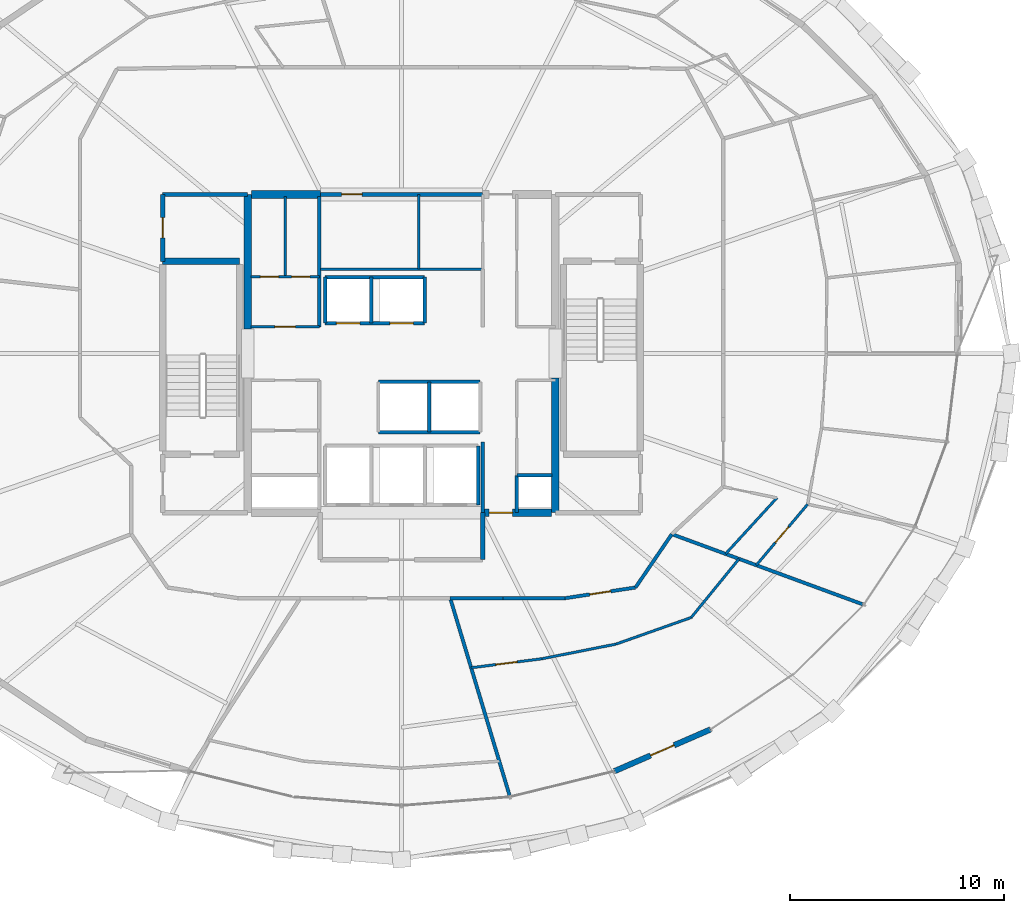
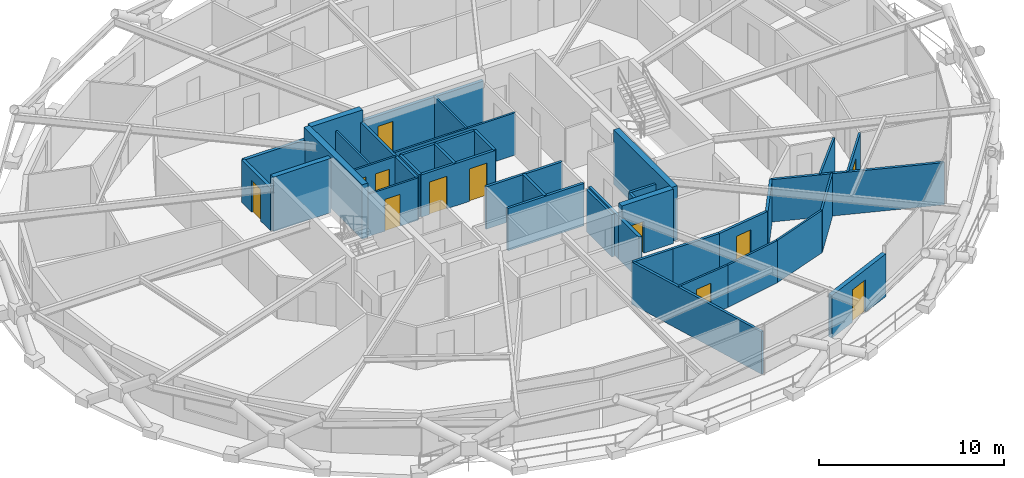
# One storey, part 14 of 20: 40 walls, 12 doors, 12 openings.
"""IFC4 building model written with IfcOpenShell, lengths in metres."""

from ifc_helpers import new_model, si_unit, direction, frame, frame_2d, origin, place, context, subcontext, project, spatial, rectangle, extrude, material, layer, layer_set, type_object, element, fill, save


model = new_model("IFC4")

# Units and contexts
model_context = context("Model", 3, precision=1e-05, world=origin(), true_north=direction((0.0, 1.0)))
body_context = subcontext(model_context, "Body", "Model", "MODEL_VIEW")
ifc_project = project(units=[si_unit("LENGTHUNIT", "METRE"), si_unit("AREAUNIT", "SQUARE_METRE"), si_unit("VOLUMEUNIT", "CUBIC_METRE"), si_unit("PLANEANGLEUNIT", "RADIAN"), si_unit("MASSUNIT", "GRAM", prefix="KILO")], contexts=[model_context])

# Site, building, storey
site_placement = place(None, origin())
site = spatial("IfcSite", under=ifc_project, at=site_placement, CompositionType="ELEMENT")
building_placement = place(site_placement, origin())
building = spatial("IfcBuilding", under=site, at=building_placement, Name="Veldorina Hangang Commons", CompositionType="ELEMENT")
storey_placement = place(building_placement, frame((0.0, 0.0, 131.60009765625)))
storey = spatial("IfcBuildingStorey", under=building, at=storey_placement, Name="L33", CompositionType="ELEMENT", Elevation=131.60009765625)

# Walls
ifc_material_1 = material(Name="Concrete C60/75", Category="concrete")
ifc_layer_1 = layer(ifc_material_1, 0.360107421875)
ifc_layer_set_1 = layer_set([ifc_layer_1], Name="Concrete C60/75")
wall_type_1 = type_object("IfcWallType", Name="CW-RC360-C60", PredefinedType="SHEAR", material=ifc_layer_set_1)
for number, where, z_axis, x_axis, name in (
    (1, (24.800048828125, 25.14990234375, 0.0), (0.0, 0.0, 1.0), (0.0, 1.0, 0.0), "L33 W north core shear wall"),
    (2, (39.199951171875, 16.550048828125, 0.0), (0.0, 0.0, 1.0), (0.0, 1.0, 0.0), "L33 E south core shear wall"),
):
    element("IfcWall", number, at=place(storey_placement, frame(where, z_axis=z_axis, x_axis=x_axis)), inside=storey, type_object=wall_type_1, Name=name, PredefinedType="SHEAR", context=body_context, shape_type="SweptSolid", body=[
        extrude(rectangle(XDim=6.300048828125, YDim=0.360107421875, at=frame_2d((3.14990234375, 0.0))), origin(), (0.0, 0.0, 1.0), 3.599853515625),
    ])

# Wall, opening, door
wall_1_placement = place(storey_placement, frame((35.800048828125, 16.550048828125, 0.0), z_axis=(0.0, 0.0, 1.0), x_axis=(1.0, 0.0, 0.0)))
wall_1 = element("IfcWall", 3, at=wall_1_placement, inside=storey, type_object=wall_type_1, Name="L33 south-east core shear wall", PredefinedType="SHEAR", context=body_context, shape_type="SweptSolid", body=[
    extrude(rectangle(XDim=3.219970703125, YDim=0.360107421875, at=frame_2d((1.60986328125, 0.0))), origin(), (0.0, 0.0, 1.0), 3.599853515625),
])
opening_1_placement = place(wall_1_placement, frame((0.300048828125, 0.0, 0.0)))
opening_1 = element("IfcOpeningElement", 4, at=opening_1_placement, cuts=wall_1, Name="Opening D-08", PredefinedType="OPENING", context=body_context, shape_type="SweptSolid", body=[
    extrude(rectangle(XDim=1.10009765625, YDim=2.10009765625, at=frame_2d((0.550048828125, 1.050048828125))), frame((0.0, 0.18994140625, 0.0), z_axis=(0.0, -1.0, 0.0), x_axis=(1.0, 0.0, 0.0)), (0.0, 0.0, 1.0), 0.380126953125),
])
ifc_material_2 = material(Name="Steel Fire-Rated Smoke Seal", Category="steel")
door_type_1 = type_object("IfcDoorType", Name="DR-FIRE-1100", OperationType="SINGLE_SWING_RIGHT", PredefinedType="DOOR", material=ifc_material_2)
door_1_placement = place(opening_1_placement, origin())
door_1 = element("IfcDoor", 5, at=door_1_placement, inside=storey, type_object=door_type_1, Name="L33 central lift lobby south corridor door", OperationType="SINGLE_SWING_RIGHT", OverallHeight=2.10009765625, OverallWidth=1.10009765625, PredefinedType="DOOR", context=body_context, shape_type="SweptSolid", body=[
    extrude(rectangle(XDim=1.10009765625, YDim=2.10009765625, at=frame_2d((0.550048828125, 1.050048828125))), frame((0.0, 0.02490234375, 0.0), z_axis=(0.0, -1.0, 0.0), x_axis=(1.0, 0.0, 0.0)), (0.0, 0.0, 1.0), 0.050048828125),
])
fill(opening_1, door_1)

# Wall
wall_2_placement = place(storey_placement, frame((24.97998046875, 31.449951171875, 0.0), z_axis=(0.0, 0.0, 1.0), x_axis=(1.0, 0.0, 0.0)))
element("IfcWall", 6, at=wall_2_placement, inside=storey, type_object=wall_type_1, Name="L33 north-west core shear wall", PredefinedType="SHEAR", context=body_context, shape_type="SweptSolid", body=[
    extrude(rectangle(XDim=3.219970703125, YDim=0.360107421875, at=frame_2d((1.60986328125, 0.0))), origin(), (0.0, 0.0, 1.0), 3.599853515625),
])

# Wall, opening, door
ifc_material_3 = material(Name="Stone Roman Travertine", Category="masonry")
ifc_layer_2 = layer(ifc_material_3, 0.260009765625)
ifc_layer_set_2 = layer_set([ifc_layer_2], Name="Stone Roman Travertine")
wall_type_2 = type_object("IfcWallType", Name="EW-LOGGIA-260", PredefinedType="STANDARD", material=ifc_layer_set_2)
wall_3_placement = place(storey_placement, frame((41.958740234375, 4.4501953125, 0.0), z_axis=(0.0, 0.0, 1.0), x_axis=(0.917135712646, 0.398575067697, 0.0)))
wall_3 = element("IfcWall", 7, at=wall_3_placement, inside=storey, type_object=wall_type_2, Name="L33 sky-garden loggia portal wall 26", PredefinedType="STANDARD", context=body_context, shape_type="SweptSolid", body=[
    extrude(rectangle(XDim=4.90576171875, YDim=0.260009765625, at=frame_2d((2.452880859375, 0.0))), origin(), (0.0, 0.0, 1.0), 2.81982421875),
])
opening_2_placement = place(wall_3_placement, frame((1.852783203125, 0.0, 0.0)))
opening_2 = element("IfcOpeningElement", 8, at=opening_2_placement, cuts=wall_3, Name="Opening BD-1200", PredefinedType="OPENING", context=body_context, shape_type="SweptSolid", body=[
    extrude(rectangle(XDim=1.199951171875, YDim=2.14990234375, at=frame_2d((0.60009765625, 1.074951171875))), frame((0.0, 0.14013671875, 0.0), z_axis=(0.0, -1.0, 0.0), x_axis=(1.0, 0.0, 0.0)), (0.0, 0.0, 1.0), 0.280029296875),
])
ifc_material_4 = material(Name="Glass Thermal Aluminium Frame", Category="aluminium")
door_type_2 = type_object("IfcDoorType", Name="DR-EXT-LOG1200", OperationType="SINGLE_SWING_LEFT", PredefinedType="DOOR", material=ifc_material_4)
door_2_placement = place(opening_2_placement, origin())
door_2 = element("IfcDoor", 9, at=door_2_placement, inside=storey, type_object=door_type_2, Name="L33 loggia glazed exterior door 26", OperationType="SINGLE_SWING_LEFT", OverallHeight=2.14990234375, OverallWidth=1.199951171875, PredefinedType="DOOR", context=body_context, shape_type="SweptSolid", body=[
    extrude(rectangle(XDim=1.199951171875, YDim=2.14990234375, at=frame_2d((0.60009765625, 1.074951171875))), frame((0.0, 0.02490234375, 0.0), z_axis=(0.0, -1.0, 0.0), x_axis=(1.0, 0.0, 0.0)), (0.0, 0.0, 1.0), 0.050048828125),
])
fill(opening_2, door_2)

# Walls
ifc_material_5 = material(Name="Concrete C50/60", Category="concrete")
ifc_layer_3 = layer(ifc_material_5, 0.300048828125)
ifc_layer_set_3 = layer_set([ifc_layer_3], Name="Concrete C50/60")
wall_type_3 = type_object("IfcWallType", Name="SW-STAIR-300", PredefinedType="SHEAR", material=ifc_layer_set_3)
wall_4_placement = place(storey_placement, frame((20.820068359375, 28.320068359375, 0.0), z_axis=(0.0, 0.0, 1.0), x_axis=(1.0, 0.0, 0.0)))
element("IfcWall", 10, at=wall_4_placement, inside=storey, type_object=wall_type_3, Name="L33 ST1 north stair shear wall", PredefinedType="SHEAR", context=body_context, shape_type="SweptSolid", body=[
    extrude(rectangle(XDim=3.599853515625, YDim=0.300048828125, at=frame_2d((1.7998046875, 0.0))), origin(), (0.0, 0.0, 1.0), 3.599853515625),
])
ifc_material_6 = material(Name="Gypsum Fire-Rated Twin Stud Wall", Category="gypsum")
ifc_layer_4 = layer(ifc_material_6, 0.159912109375)
ifc_layer_set_4 = layer_set([ifc_layer_4], Name="Gypsum Fire-Rated Twin Stud Wall")
wall_type_4 = type_object("IfcWallType", Name="WL-FIRE-160", PredefinedType="SOLIDWALL", material=ifc_layer_set_4)
wall_5_placement = place(storey_placement, frame((35.800048828125, 16.550048828125, 0.0), z_axis=(0.0, 0.0, 1.0), x_axis=(0.0, 1.0, 0.0)))
element("IfcWall", 11, at=wall_5_placement, inside=storey, type_object=wall_type_4, Name="L33 Lift passage SW wall 009", PredefinedType="SOLIDWALL", context=body_context, shape_type="SweptSolid", body=[
    extrude(rectangle(XDim=3.300048828125, YDim=0.159912109375, at=frame_2d((1.64990234375, 0.0))), origin(), (0.0, 0.0, 1.0), 2.7998046875),
])
wall_6_placement = place(storey_placement, frame((37.39990234375, 16.550048828125, 0.0), z_axis=(0.0, 0.0, 1.0), x_axis=(0.0, 1.0, 0.0)))
element("IfcWall", 12, at=wall_6_placement, inside=storey, type_object=wall_type_4, Name="L33 Lift passage SE stub 010", PredefinedType="SOLIDWALL", context=body_context, shape_type="SweptSolid", body=[
    extrude(rectangle(XDim=1.75, YDim=0.159912109375, at=frame_2d((0.875, 0.0))), origin(), (0.0, 0.0, 1.0), 2.7998046875),
])

# Wall, openings, doors
wall_7_placement = place(storey_placement, frame((28.419921875, 25.419921875, 0.0), z_axis=(0.0, 0.0, 1.0), x_axis=(1.0, 0.0, 0.0)))
wall_7 = element("IfcWall", 13, at=wall_7_placement, inside=storey, type_object=wall_type_4, Name="L33 Mid-high front shaft wall 015", PredefinedType="SOLIDWALL", context=body_context, shape_type="SweptSolid", body=[
    extrude(rectangle(XDim=4.66015625, YDim=0.159912109375, at=frame_2d((2.330078125, 0.0))), origin(), (0.0, 0.0, 1.0), 2.7998046875),
])
opening_3_placement = place(wall_7_placement, frame((0.530029296875, 0.0, 0.0)))
opening_3 = element("IfcOpeningElement", 14, at=opening_3_placement, cuts=wall_7, Name="Opening LD-01", PredefinedType="OPENING", context=body_context, shape_type="SweptSolid", body=[
    extrude(rectangle(XDim=1.10009765625, YDim=2.14990234375, at=frame_2d((0.550048828125, 1.074951171875))), frame((0.0, 0.08984375, 0.0), z_axis=(0.0, -1.0, 0.0), x_axis=(1.0, 0.0, 0.0)), (0.0, 0.0, 1.0), 0.179931640625),
])
opening_4_placement = place(wall_7_placement, frame((3.030029296875, 0.0, 0.0)))
opening_4 = element("IfcOpeningElement", 15, at=opening_4_placement, cuts=wall_7, Name="Opening LD-01", PredefinedType="OPENING", context=body_context, shape_type="SweptSolid", body=[
    extrude(rectangle(XDim=1.10009765625, YDim=2.14990234375, at=frame_2d((0.550048828125, 1.074951171875))), frame((0.0, 0.08984375, 0.0), z_axis=(0.0, -1.0, 0.0), x_axis=(1.0, 0.0, 0.0)), (0.0, 0.0, 1.0), 0.179931640625),
])
ifc_material_7 = material(Name="Stainless Steel Brushed Lift Door", Category="steel")
door_type_3 = type_object("IfcDoorType", Name="DR-LIFT-1100", OperationType="SLIDING_TO_LEFT", PredefinedType="DOOR", material=ifc_material_7)
door_3_placement = place(opening_3_placement, origin())
door_3 = element("IfcDoor", 16, at=door_3_placement, inside=storey, type_object=door_type_3, Name="L33 Lift PL-M1 landing door 006", OperationType="SLIDING_TO_RIGHT", OverallHeight=2.14990234375, OverallWidth=1.10009765625, PredefinedType="DOOR", context=body_context, shape_type="SweptSolid", body=[
    extrude(rectangle(XDim=1.10009765625, YDim=2.14990234375, at=frame_2d((0.550048828125, 1.074951171875))), frame((0.0, 0.02490234375, 0.0), z_axis=(0.0, -1.0, 0.0), x_axis=(1.0, 0.0, 0.0)), (0.0, 0.0, 1.0), 0.050048828125),
])
fill(opening_3, door_3)
door_4_placement = place(opening_4_placement, origin())
door_4 = element("IfcDoor", 17, at=door_4_placement, inside=storey, type_object=door_type_3, Name="L33 Lift PL-M2 landing door 007", OperationType="SLIDING_TO_RIGHT", OverallHeight=2.14990234375, OverallWidth=1.10009765625, PredefinedType="DOOR", context=body_context, shape_type="SweptSolid", body=[
    extrude(rectangle(XDim=1.10009765625, YDim=2.14990234375, at=frame_2d((0.550048828125, 1.074951171875))), frame((0.0, 0.02490234375, 0.0), z_axis=(0.0, -1.0, 0.0), x_axis=(1.0, 0.0, 0.0)), (0.0, 0.0, 1.0), 0.050048828125),
])
fill(opening_4, door_4)

# Walls
wall_8_placement = place(storey_placement, frame((28.419921875, 27.580078125, 0.0), z_axis=(0.0, 0.0, 1.0), x_axis=(1.0, 0.0, 0.0)))
element("IfcWall", 18, at=wall_8_placement, inside=storey, type_object=wall_type_4, Name="L33 Mid-high rear shaft wall 016", PredefinedType="SOLIDWALL", context=body_context, shape_type="SweptSolid", body=[
    extrude(rectangle(XDim=4.66015625, YDim=0.159912109375, at=frame_2d((2.330078125, 0.0))), origin(), (0.0, 0.0, 1.0), 2.7998046875),
])
for number, where, z_axis, x_axis, name in (
    (19, (28.419921875, 25.419921875, 0.0), (0.0, 0.0, 1.0), (0.0, 1.0, 0.0), "L33 PL-M1 west shaft wall 017"),
    (20, (30.580078125, 25.419921875, 0.0), (0.0, 0.0, 1.0), (0.0, 1.0, 0.0), "L33 PL-M1 east shaft wall 018"),
    (21, (33.080078125, 25.419921875, 0.0), (0.0, 0.0, 1.0), (0.0, 1.0, 0.0), "L33 PL-M2 east shaft wall 019"),
):
    element("IfcWall", number, at=place(storey_placement, frame(where, z_axis=z_axis, x_axis=x_axis)), inside=storey, type_object=wall_type_4, Name=name, PredefinedType="SOLIDWALL", context=body_context, shape_type="SweptSolid", body=[
        extrude(rectangle(XDim=2.16015625, YDim=0.159912109375, at=frame_2d((1.080078125, 0.0))), origin(), (0.0, 0.0, 1.0), 2.7998046875),
    ])
for number, where, z_axis, x_axis, name in (
    (22, (30.919921875, 22.679931640625, 0.0), (0.0, 0.0, 1.0), (1.0, 0.0, 0.0), "L33 Shuttle-high front shaft wall 020"),
    (23, (30.919921875, 20.320068359375, 0.0), (0.0, 0.0, 1.0), (1.0, 0.0, 0.0), "L33 Shuttle-high rear shaft wall 021"),
):
    element("IfcWall", number, at=place(storey_placement, frame(where, z_axis=z_axis, x_axis=x_axis)), inside=storey, type_object=wall_type_4, Name=name, PredefinedType="SOLIDWALL", context=body_context, shape_type="SweptSolid", body=[
        extrude(rectangle(XDim=4.760009765625, YDim=0.159912109375, at=frame_2d((2.3798828125, 0.0))), origin(), (0.0, 0.0, 1.0), 2.7998046875),
    ])
wall_9_placement = place(storey_placement, frame((33.300048828125, 20.320068359375, 0.0), z_axis=(0.0, 0.0, 1.0), x_axis=(0.0, 1.0, 0.0)))
element("IfcWall", 24, at=wall_9_placement, inside=storey, type_object=wall_type_4, Name="L33 SL-1 east shaft wall 023", PredefinedType="SOLIDWALL", context=body_context, shape_type="SweptSolid", body=[
    extrude(rectangle(XDim=2.35986328125, YDim=0.159912109375, at=frame_2d((1.179931640625, 0.0))), origin(), (0.0, 0.0, 1.0), 2.7998046875),
])
wall_10_placement = place(storey_placement, frame((35.580078125, 16.919921875, 0.0), z_axis=(0.0, 0.0, 1.0), x_axis=(0.0, 1.0, 0.0)))
element("IfcWall", 25, at=wall_10_placement, inside=storey, type_object=wall_type_4, Name="L33 EVL-1 east shaft wall 030", PredefinedType="SOLIDWALL", context=body_context, shape_type="SweptSolid", body=[
    extrude(rectangle(XDim=2.760009765625, YDim=0.159912109375, at=frame_2d((1.3798828125, 0.0))), origin(), (0.0, 0.0, 1.0), 2.7998046875),
])
wall_11_placement = place(storey_placement, frame((37.39990234375, 18.300048828125, 0.0), z_axis=(0.0, 0.0, 1.0), x_axis=(1.0, 0.0, 0.0)))
element("IfcWall", 26, at=wall_11_placement, inside=storey, type_object=wall_type_4, Name="L33 Plumbing riser wall 037", PredefinedType="SOLIDWALL", context=body_context, shape_type="SweptSolid", body=[
    extrude(rectangle(XDim=1.650146484375, YDim=0.159912109375, at=frame_2d((0.8251953125, 0.0))), origin(), (0.0, 0.0, 1.0), 2.7998046875),
])
wall_12_placement = place(storey_placement, frame((28.14990234375, 25.25, 0.0), z_axis=(0.0, 0.0, 1.0), x_axis=(0.0, 1.0, 0.0)))
element("IfcWall", 27, at=wall_12_placement, inside=storey, type_object=wall_type_4, Name="L33 NW core inner wall 038", PredefinedType="SOLIDWALL", context=body_context, shape_type="SweptSolid", body=[
    extrude(rectangle(XDim=6.10009765625, YDim=0.159912109375, at=frame_2d((3.050048828125, 0.0))), origin(), (0.0, 0.0, 1.0), 2.7998046875),
])
wall_13_placement = place(storey_placement, frame((34.277587890625, 12.550048828125, 0.0), z_axis=(0.0, 0.0, 1.0), x_axis=(1.0, 0.0, 0.0)))
element("IfcWall", 28, at=wall_13_placement, inside=storey, type_object=wall_type_4, Name="L33 U-corridor outer wall 25 073", PredefinedType="SOLIDWALL", context=body_context, shape_type="SweptSolid", body=[
    extrude(rectangle(XDim=2.465087890625, YDim=0.159912109375, at=frame_2d((1.232421875, 0.0))), origin(), (0.0, 0.0, 1.0), 2.7998046875),
])
wall_14_placement = place(storey_placement, frame((36.74267578125, 12.550048828125, 0.0), z_axis=(0.0, 0.0, 1.0), x_axis=(1.0, 0.0, 0.0)))
element("IfcWall", 29, at=wall_14_placement, inside=storey, type_object=wall_type_4, Name="L33 U-corridor outer wall 26 074", PredefinedType="SOLIDWALL", context=body_context, shape_type="SweptSolid", body=[
    extrude(rectangle(XDim=2.907958984375, YDim=0.159912109375, at=frame_2d((1.4541015625, 0.0))), origin(), (0.0, 0.0, 1.0), 2.7998046875),
])

# Wall, opening, door
wall_15_placement = place(storey_placement, frame((39.650634765625, 12.550048828125, 0.0), z_axis=(0.0, 0.0, 1.0), x_axis=(0.988710906508, 0.149835721217, 0.0)))
wall_15 = element("IfcWall", 30, at=wall_15_placement, inside=storey, type_object=wall_type_4, Name="L33 U-corridor outer wall 27 075", PredefinedType="SOLIDWALL", context=body_context, shape_type="SweptSolid", body=[
    extrude(rectangle(XDim=3.3369140625, YDim=0.159912109375, at=frame_2d((1.66845703125, 0.0))), origin(), (0.0, 0.0, 1.0), 2.7998046875),
])
opening_5_placement = place(wall_15_placement, frame((1.16845703125, 0.0, 0.0)))
opening_5 = element("IfcOpeningElement", 31, at=opening_5_placement, cuts=wall_15, Name="Opening D-05", PredefinedType="OPENING", context=body_context, shape_type="SweptSolid", body=[
    extrude(rectangle(XDim=1.0, YDim=2.10009765625, at=frame_2d((0.5, 1.050048828125))), frame((0.0, 0.08984375, 0.0), z_axis=(0.0, -1.0, 0.0), x_axis=(1.0, 0.0, 0.0)), (0.0, 0.0, 1.0), 0.179931640625),
])
ifc_material_8 = material(Name="Timber Solid Core Acoustic", Category="wood")
door_type_4 = type_object("IfcDoorType", Name="DR-INT-1000", OperationType="SINGLE_SWING_RIGHT", PredefinedType="DOOR", material=ifc_material_8)
door_5_placement = place(opening_5_placement, origin())
door_5 = element("IfcDoor", 32, at=door_5_placement, inside=storey, type_object=door_type_4, Name="L33 Commons alcove door 020", OperationType="SINGLE_SWING_RIGHT", OverallHeight=2.10009765625, OverallWidth=1.0, PredefinedType="DOOR", context=body_context, shape_type="SweptSolid", body=[
    extrude(rectangle(XDim=1.0, YDim=2.10009765625, at=frame_2d((0.5, 1.050048828125))), frame((0.0, 0.02490234375, 0.0), z_axis=(0.0, -1.0, 0.0), x_axis=(1.0, 0.0, 0.0)), (0.0, 0.0, 1.0), 0.050048828125),
])
fill(opening_5, door_5)

# Walls
wall_16_placement = place(storey_placement, frame((42.949951171875, 13.050048828125, 0.0), z_axis=(0.0, 0.0, 1.0), x_axis=(0.562674669208, 0.826678423955, 0.0)))
element("IfcWall", 33, at=wall_16_placement, inside=storey, type_object=wall_type_4, Name="L33 U-corridor outer wall 28 076", PredefinedType="SOLIDWALL", context=body_context, shape_type="SweptSolid", body=[
    extrude(rectangle(XDim=3.021240234375, YDim=0.159912109375, at=frame_2d((1.5107421875, 0.0))), origin(), (0.0, 0.0, 1.0), 2.7998046875),
])
wall_17_placement = place(storey_placement, frame((34.277587890625, 12.550048828125, 0.0), z_axis=(0.0, 0.0, 1.0), x_axis=(0.288114793877, -0.957595877993, 0.0)))
element("IfcWall", 34, at=wall_17_placement, inside=storey, type_object=wall_type_4, Name="L33 Unit party wall 25 080", PredefinedType="SOLIDWALL", context=body_context, shape_type="SweptSolid", body=[
    extrude(rectangle(XDim=9.666015625, YDim=0.159912109375, at=frame_2d((4.8330078125, 0.0))), origin(), (0.0, 0.0, 1.0), 2.7998046875),
])
wall_18_placement = place(storey_placement, frame((44.64990234375, 15.547607421875, 0.0), z_axis=(0.0, 0.0, 1.0), x_axis=(0.938597960156, -0.345012853661, 0.0)))
element("IfcWall", 35, at=wall_18_placement, inside=storey, type_object=wall_type_4, Name="L33 Unit party wall 29 085", PredefinedType="SOLIDWALL", context=body_context, shape_type="SweptSolid", body=[
    extrude(rectangle(XDim=9.526123046875, YDim=0.159912109375, at=frame_2d((4.76318359375, 0.0))), origin(), (0.0, 0.0, 1.0), 2.7998046875),
])

# Wall, opening, door
ifc_material_9 = material(Name="Concrete Blockwork Fire Wall C30/37", Category="masonry")
ifc_layer_5 = layer(ifc_material_9, 0.199951171875)
ifc_layer_set_5 = layer_set([ifc_layer_5], Name="Concrete Blockwork Fire Wall C30/37")
wall_type_5 = type_object("IfcWallType", Name="WL-FIRE-200", PredefinedType="SOLIDWALL", material=ifc_layer_set_5)
wall_19_placement = place(storey_placement, frame((20.820068359375, 28.320068359375, 0.0), z_axis=(0.0, 0.0, 1.0), x_axis=(0.0, 1.0, 0.0)))
wall_19 = element("IfcWall", 36, at=wall_19_placement, inside=storey, type_object=wall_type_5, Name="L33 NW core room outer wall 005", PredefinedType="SOLIDWALL", context=body_context, shape_type="SweptSolid", body=[
    extrude(rectangle(XDim=3.1298828125, YDim=0.199951171875, at=frame_2d((1.56494140625, 0.0))), origin(), (0.0, 0.0, 1.0), 2.7998046875),
])
opening_6_placement = place(wall_19_placement, frame((1.090087890625, 0.0, 0.0)))
opening_6 = element("IfcOpeningElement", 37, at=opening_6_placement, cuts=wall_19, Name="Opening D-04", PredefinedType="OPENING", context=body_context, shape_type="SweptSolid", body=[
    extrude(rectangle(XDim=0.949951171875, YDim=2.10009765625, at=frame_2d((0.47509765625, 1.050048828125))), frame((0.0, 0.10986328125, 0.0), z_axis=(0.0, -1.0, 0.0), x_axis=(1.0, 0.0, 0.0)), (0.0, 0.0, 1.0), 0.219970703125),
])
ifc_material_10 = material(Name="Timber Accessible Flush Leaf", Category="wood")
door_type_5 = type_object("IfcDoorType", Name="DR-ACC-950", OperationType="SINGLE_SWING_LEFT", PredefinedType="DOOR", material=ifc_material_10)
door_6_placement = place(opening_6_placement, origin())
door_6 = element("IfcDoor", 38, at=door_6_placement, inside=storey, type_object=door_type_5, Name="L33 NW core WC door 003", OperationType="SINGLE_SWING_LEFT", OverallHeight=2.10009765625, OverallWidth=0.949951171875, PredefinedType="DOOR", context=body_context, shape_type="SweptSolid", body=[
    extrude(rectangle(XDim=0.949951171875, YDim=2.10009765625, at=frame_2d((0.47509765625, 1.050048828125))), frame((0.0, 0.02490234375, 0.0), z_axis=(0.0, -1.0, 0.0), x_axis=(1.0, 0.0, 0.0)), (0.0, 0.0, 1.0), 0.050048828125),
])
fill(opening_6, door_6)

# Walls
wall_20_placement = place(storey_placement, frame((20.820068359375, 31.449951171875, 0.0), z_axis=(0.0, 0.0, 1.0), x_axis=(1.0, 0.0, 0.0)))
element("IfcWall", 39, at=wall_20_placement, inside=storey, type_object=wall_type_5, Name="L33 NW core room north wall 006", PredefinedType="SOLIDWALL", context=body_context, shape_type="SweptSolid", body=[
    extrude(rectangle(XDim=3.97998046875, YDim=0.199951171875, at=frame_2d((1.989990234375, 0.0))), origin(), (0.0, 0.0, 1.0), 2.7998046875),
])
wall_21_placement = place(storey_placement, frame((35.800048828125, 14.35009765625, 0.0), z_axis=(0.0, 0.0, 1.0), x_axis=(0.0, 1.0, 0.0)))
element("IfcWall", 40, at=wall_21_placement, inside=storey, type_object=wall_type_5, Name="L33 FF lobby east wall 013", PredefinedType="SOLIDWALL", context=body_context, shape_type="SweptSolid", body=[
    extrude(rectangle(XDim=2.199951171875, YDim=0.199951171875, at=frame_2d((1.10009765625, 0.0))), origin(), (0.0, 0.0, 1.0), 2.7998046875),
])

# Wall, opening, door
wall_22_placement = place(storey_placement, frame((28.199951171875, 31.449951171875, 0.0), z_axis=(0.0, 0.0, 1.0), x_axis=(1.0, 0.0, 0.0)))
wall_22 = element("IfcWall", 41, at=wall_22_placement, inside=storey, type_object=wall_type_5, Name="L33 Merged north core wall 031", PredefinedType="SOLIDWALL", context=body_context, shape_type="SweptSolid", body=[
    extrude(rectangle(XDim=7.60009765625, YDim=0.199951171875, at=frame_2d((3.800048828125, 0.0))), origin(), (0.0, 0.0, 1.0), 2.7998046875),
])
opening_7_placement = place(wall_22_placement, frame((1.0, 0.0, 0.0)))
opening_7 = element("IfcOpeningElement", 42, at=opening_7_placement, cuts=wall_22, Name="Opening D-02", PredefinedType="OPENING", context=body_context, shape_type="SweptSolid", body=[
    extrude(rectangle(XDim=0.949951171875, YDim=2.10009765625, at=frame_2d((0.47509765625, 1.050048828125))), frame((0.0, 0.10986328125, 0.0), z_axis=(0.0, -1.0, 0.0), x_axis=(1.0, 0.0, 0.0)), (0.0, 0.0, 1.0), 0.219970703125),
])
door_type_6 = type_object("IfcDoorType", Name="DR-INT-950", OperationType="SINGLE_SWING_LEFT", PredefinedType="DOOR", material=ifc_material_8)
door_7_placement = place(opening_7_placement, origin())
door_7 = element("IfcDoor", 43, at=door_7_placement, inside=storey, type_object=door_type_6, Name="L33 Core study alcove door 011", OperationType="SINGLE_SWING_LEFT", OverallHeight=2.10009765625, OverallWidth=0.949951171875, PredefinedType="DOOR", context=body_context, shape_type="SweptSolid", body=[
    extrude(rectangle(XDim=0.949951171875, YDim=2.10009765625, at=frame_2d((0.47509765625, 1.050048828125))), frame((0.0, 0.02490234375, 0.0), z_axis=(0.0, -1.0, 0.0), x_axis=(1.0, 0.0, 0.0)), (0.0, 0.0, 1.0), 0.050048828125),
])
fill(opening_7, door_7)

# Walls
ifc_material_11 = material(Name="Gypsum Acoustic Stud Partition", Category="gypsum")
ifc_layer_6 = layer(ifc_material_11, 0.1201171875)
ifc_layer_set_6 = layer_set([ifc_layer_6], Name="Gypsum Acoustic Stud Partition")
wall_type_6 = type_object("IfcWallType", Name="WL-PART-120", PredefinedType="PARTITIONING", material=ifc_layer_set_6)
wall_23_placement = place(storey_placement, frame((28.199951171875, 27.949951171875, 0.0), z_axis=(0.0, 0.0, 1.0), x_axis=(1.0, 0.0, 0.0)))
element("IfcWall", 44, at=wall_23_placement, inside=storey, type_object=wall_type_6, Name="L33 Merged north south wall 032", PredefinedType="PARTITIONING", context=body_context, shape_type="SweptSolid", body=[
    extrude(rectangle(XDim=7.60009765625, YDim=0.1201171875, at=frame_2d((3.800048828125, 0.0))), origin(), (0.0, 0.0, 1.0), 2.7998046875),
])
wall_24_placement = place(storey_placement, frame((32.800048828125, 27.949951171875, 0.0), z_axis=(0.0, 0.0, 1.0), x_axis=(0.0, 1.0, 0.0)))
element("IfcWall", 45, at=wall_24_placement, inside=storey, type_object=wall_type_6, Name="L33 Merged north split wall 034", PredefinedType="PARTITIONING", context=body_context, shape_type="SweptSolid", body=[
    extrude(rectangle(XDim=3.5, YDim=0.1201171875, at=frame_2d((1.75, 0.0))), origin(), (0.0, 0.0, 1.0), 2.7998046875),
])

# Wall, opening, door
wall_25_placement = place(storey_placement, frame((24.949951171875, 25.25, 0.0), z_axis=(0.0, 0.0, 1.0), x_axis=(1.0, 0.0, 0.0)))
wall_25 = element("IfcWall", 46, at=wall_25_placement, inside=storey, type_object=wall_type_6, Name="L33 NW service south wall 039", PredefinedType="PARTITIONING", context=body_context, shape_type="SweptSolid", body=[
    extrude(rectangle(XDim=3.199951171875, YDim=0.1201171875, at=frame_2d((1.60009765625, 0.0))), origin(), (0.0, 0.0, 1.0), 2.7998046875),
])
opening_8_placement = place(wall_25_placement, frame((1.125, 0.0, 0.0)))
opening_8 = element("IfcOpeningElement", 47, at=opening_8_placement, cuts=wall_25, Name="Opening D-02", PredefinedType="OPENING", context=body_context, shape_type="SweptSolid", body=[
    extrude(rectangle(XDim=0.949951171875, YDim=2.10009765625, at=frame_2d((0.47509765625, 1.050048828125))), frame((0.0, 0.070068359375, 0.0), z_axis=(0.0, -1.0, 0.0), x_axis=(1.0, 0.0, 0.0)), (0.0, 0.0, 1.0), 0.14013671875),
])
door_8_placement = place(opening_8_placement, origin())
door_8 = element("IfcDoor", 48, at=door_8_placement, inside=storey, type_object=door_type_6, Name="L33 Utility vestibule door 013", OperationType="SINGLE_SWING_LEFT", OverallHeight=2.10009765625, OverallWidth=0.949951171875, PredefinedType="DOOR", context=body_context, shape_type="SweptSolid", body=[
    extrude(rectangle(XDim=0.949951171875, YDim=2.10009765625, at=frame_2d((0.47509765625, 1.050048828125))), frame((0.0, 0.02490234375, 0.0), z_axis=(0.0, -1.0, 0.0), x_axis=(1.0, 0.0, 0.0)), (0.0, 0.0, 1.0), 0.050048828125),
])
fill(opening_8, door_8)

# Wall, openings, doors
wall_26_placement = place(storey_placement, frame((24.949951171875, 27.60009765625, 0.0), z_axis=(0.0, 0.0, 1.0), x_axis=(1.0, 0.0, 0.0)))
wall_26 = element("IfcWall", 49, at=wall_26_placement, inside=storey, type_object=wall_type_6, Name="L33 NW lower split 045", PredefinedType="PARTITIONING", context=body_context, shape_type="SweptSolid", body=[
    extrude(rectangle(XDim=3.199951171875, YDim=0.1201171875, at=frame_2d((1.60009765625, 0.0))), origin(), (0.0, 0.0, 1.0), 2.7998046875),
])
opening_9_placement = place(wall_26_placement, frame((0.43994140625, 0.0, 0.0)))
opening_9 = element("IfcOpeningElement", 50, at=opening_9_placement, cuts=wall_26, Name="Opening D-01", PredefinedType="OPENING", context=body_context, shape_type="SweptSolid", body=[
    extrude(rectangle(XDim=0.860107421875, YDim=2.10009765625, at=frame_2d((0.43017578125, 1.050048828125))), frame((0.0, 0.070068359375, 0.0), z_axis=(0.0, -1.0, 0.0), x_axis=(1.0, 0.0, 0.0)), (0.0, 0.0, 1.0), 0.14013671875),
])
opening_10_placement = place(wall_26_placement, frame((1.89990234375, 0.0, 0.0)))
opening_10 = element("IfcOpeningElement", 51, at=opening_10_placement, cuts=wall_26, Name="Opening D-01", PredefinedType="OPENING", context=body_context, shape_type="SweptSolid", body=[
    extrude(rectangle(XDim=0.860107421875, YDim=2.10009765625, at=frame_2d((0.43017578125, 1.050048828125))), frame((0.0, 0.070068359375, 0.0), z_axis=(0.0, -1.0, 0.0), x_axis=(1.0, 0.0, 0.0)), (0.0, 0.0, 1.0), 0.14013671875),
])
ifc_material_12 = material(Name="Timber Moisture-Resistant Core", Category="wood")
door_type_7 = type_object("IfcDoorType", Name="DR-WET-860", OperationType="SINGLE_SWING_LEFT", PredefinedType="DOOR", material=ifc_material_12)
door_9_placement = place(opening_9_placement, origin())
door_9 = element("IfcDoor", 52, at=door_9_placement, inside=storey, type_object=door_type_7, Name="L33 Store A door 014", OperationType="SINGLE_SWING_RIGHT", OverallHeight=2.10009765625, OverallWidth=0.860107421875, PredefinedType="DOOR", context=body_context, shape_type="SweptSolid", body=[
    extrude(rectangle(XDim=0.860107421875, YDim=2.10009765625, at=frame_2d((0.43017578125, 1.050048828125))), frame((0.0, 0.02490234375, 0.0), z_axis=(0.0, -1.0, 0.0), x_axis=(1.0, 0.0, 0.0)), (0.0, 0.0, 1.0), 0.050048828125),
])
fill(opening_9, door_9)
door_10_placement = place(opening_10_placement, origin())
door_10 = element("IfcDoor", 53, at=door_10_placement, inside=storey, type_object=door_type_7, Name="L33 Store B door 015", OperationType="SINGLE_SWING_LEFT", OverallHeight=2.10009765625, OverallWidth=0.860107421875, PredefinedType="DOOR", context=body_context, shape_type="SweptSolid", body=[
    extrude(rectangle(XDim=0.860107421875, YDim=2.10009765625, at=frame_2d((0.43017578125, 1.050048828125))), frame((0.0, 0.02490234375, 0.0), z_axis=(0.0, -1.0, 0.0), x_axis=(1.0, 0.0, 0.0)), (0.0, 0.0, 1.0), 0.050048828125),
])
fill(opening_10, door_10)

# Wall
wall_27_placement = place(storey_placement, frame((26.550048828125, 27.60009765625, 0.0), z_axis=(0.0, 0.0, 1.0), x_axis=(0.0, 1.0, 0.0)))
element("IfcWall", 54, at=wall_27_placement, inside=storey, type_object=wall_type_6, Name="L33 NW upper vertical split 046", PredefinedType="PARTITIONING", context=body_context, shape_type="SweptSolid", body=[
    extrude(rectangle(XDim=3.75, YDim=0.1201171875, at=frame_2d((1.875, 0.0))), origin(), (0.0, 0.0, 1.0), 2.7998046875),
])

# Wall, opening, door
wall_28_placement = place(storey_placement, frame((35.25732421875, 9.293701171875, 0.0), z_axis=(0.0, 0.0, 1.0), x_axis=(0.991998577966, 0.126249044799, 0.0)))
wall_28 = element("IfcWall", 55, at=wall_28_placement, inside=storey, type_object=wall_type_6, Name="L33 Lounge alcove split 0 081", PredefinedType="PARTITIONING", context=body_context, shape_type="SweptSolid", body=[
    extrude(rectangle(XDim=3.337646484375, YDim=0.1201171875, at=frame_2d((1.6689453125, 0.0))), origin(), (0.0, 0.0, 1.0), 2.7998046875),
])
opening_11_placement = place(wall_28_placement, frame((1.168701171875, 0.0, 0.0)))
opening_11 = element("IfcOpeningElement", 56, at=opening_11_placement, cuts=wall_28, Name="Opening D-05", PredefinedType="OPENING", context=body_context, shape_type="SweptSolid", body=[
    extrude(rectangle(XDim=1.0, YDim=2.10009765625, at=frame_2d((0.5, 1.050048828125))), frame((0.0, 0.070068359375, 0.0), z_axis=(0.0, -1.0, 0.0), x_axis=(1.0, 0.0, 0.0)), (0.0, 0.0, 1.0), 0.14013671875),
])
door_11_placement = place(opening_11_placement, origin())
door_11 = element("IfcDoor", 57, at=door_11_placement, inside=storey, type_object=door_type_4, Name="L33 Commons lounge door 021", OperationType="SINGLE_SWING_LEFT", OverallHeight=2.10009765625, OverallWidth=1.0, PredefinedType="DOOR", context=body_context, shape_type="SweptSolid", body=[
    extrude(rectangle(XDim=1.0, YDim=2.10009765625, at=frame_2d((0.5, 1.050048828125))), frame((0.0, 0.02490234375, 0.0), z_axis=(0.0, -1.0, 0.0), x_axis=(1.0, 0.0, 0.0)), (0.0, 0.0, 1.0), 0.050048828125),
])
fill(opening_11, door_11)

# Walls
wall_29_placement = place(storey_placement, frame((38.568359375, 9.715087890625, 0.0), z_axis=(0.0, 0.0, 1.0), x_axis=(0.981048447043, 0.19376259844, 0.0)))
element("IfcWall", 58, at=wall_29_placement, inside=storey, type_object=wall_type_6, Name="L33 Lounge alcove split 1 082", PredefinedType="PARTITIONING", context=body_context, shape_type="SweptSolid", body=[
    extrude(rectangle(XDim=3.53173828125, YDim=0.1201171875, at=frame_2d((1.765869140625, 0.0))), origin(), (0.0, 0.0, 1.0), 2.7998046875),
])
wall_30_placement = place(storey_placement, frame((42.033203125, 10.3994140625, 0.0), z_axis=(0.0, 0.0, 1.0), x_axis=(0.942821433358, 0.333298282024, 0.0)))
element("IfcWall", 59, at=wall_30_placement, inside=storey, type_object=wall_type_6, Name="L33 Lounge alcove split 2 083", PredefinedType="PARTITIONING", context=body_context, shape_type="SweptSolid", body=[
    extrude(rectangle(XDim=3.73876953125, YDim=0.1201171875, at=frame_2d((1.869384765625, 0.0))), origin(), (0.0, 0.0, 1.0), 2.7998046875),
])
wall_31_placement = place(storey_placement, frame((45.55810546875, 11.6455078125, 0.0), z_axis=(0.0, 0.0, 1.0), x_axis=(0.631780340891, 0.775147470397, 0.0)))
element("IfcWall", 60, at=wall_31_placement, inside=storey, type_object=wall_type_6, Name="L33 Lounge alcove split 3 084", PredefinedType="PARTITIONING", context=body_context, shape_type="SweptSolid", body=[
    extrude(rectangle(XDim=3.5419921875, YDim=0.1201171875, at=frame_2d((1.77099609375, 0.0))), origin(), (0.0, 0.0, 1.0), 2.7998046875),
])
wall_32_placement = place(storey_placement, frame((47.16650390625, 14.62255859375, 0.0), z_axis=(0.0, 0.0, 1.0), x_axis=(0.675494490503, 0.737365033956, 0.0)))
element("IfcWall", 61, at=wall_32_placement, inside=storey, type_object=wall_type_6, Name="L33 Cluster 2 bath front wall 086", PredefinedType="PARTITIONING", context=body_context, shape_type="SweptSolid", body=[
    extrude(rectangle(XDim=3.555419921875, YDim=0.1201171875, at=frame_2d((1.77783203125, 0.0))), origin(), (0.0, 0.0, 1.0), 2.7998046875),
])

# Wall, opening, door
wall_33_placement = place(storey_placement, frame((48.604736328125, 14.093994140625, 0.0), z_axis=(0.0, 0.0, 1.0), x_axis=(0.644194213793, 0.764861958078, 0.0)))
wall_33 = element("IfcWall", 62, at=wall_33_placement, inside=storey, type_object=wall_type_6, Name="L33 Cluster 2 bed 1 front wall 088", PredefinedType="PARTITIONING", context=body_context, shape_type="SweptSolid", body=[
    extrude(rectangle(XDim=3.728759765625, YDim=0.1201171875, at=frame_2d((1.8642578125, 0.0))), origin(), (0.0, 0.0, 1.0), 2.7998046875),
])
opening_12_placement = place(wall_33_placement, frame((1.389404296875, 0.0, 0.0)))
opening_12 = element("IfcOpeningElement", 63, at=opening_12_placement, cuts=wall_33, Name="Opening D-02", PredefinedType="OPENING", context=body_context, shape_type="SweptSolid", body=[
    extrude(rectangle(XDim=0.949951171875, YDim=2.10009765625, at=frame_2d((0.47509765625, 1.050048828125))), frame((0.0, 0.070068359375, 0.0), z_axis=(0.0, -1.0, 0.0), x_axis=(1.0, 0.0, 0.0)), (0.0, 0.0, 1.0), 0.14013671875),
])
door_12_placement = place(opening_12_placement, origin())
door_12 = element("IfcDoor", 64, at=door_12_placement, inside=storey, type_object=door_type_6, Name="L33 Cluster 2 bed 1 door 024", OperationType="SINGLE_SWING_RIGHT", OverallHeight=2.10009765625, OverallWidth=0.949951171875, PredefinedType="DOOR", context=body_context, shape_type="SweptSolid", body=[
    extrude(rectangle(XDim=0.949951171875, YDim=2.10009765625, at=frame_2d((0.47509765625, 1.050048828125))), frame((0.0, 0.02490234375, 0.0), z_axis=(0.0, -1.0, 0.0), x_axis=(1.0, 0.0, 0.0)), (0.0, 0.0, 1.0), 0.050048828125),
])
fill(opening_12, door_12)

save(model, "model.ifc")
